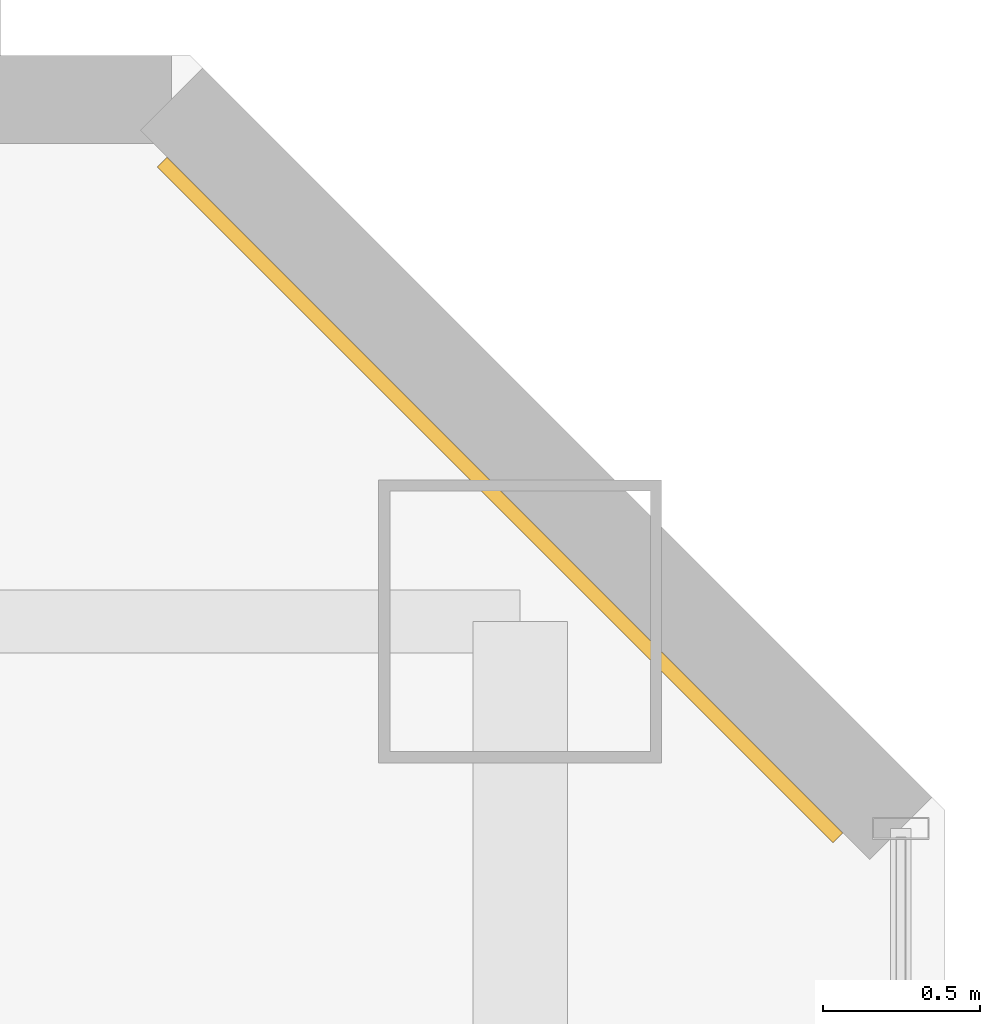
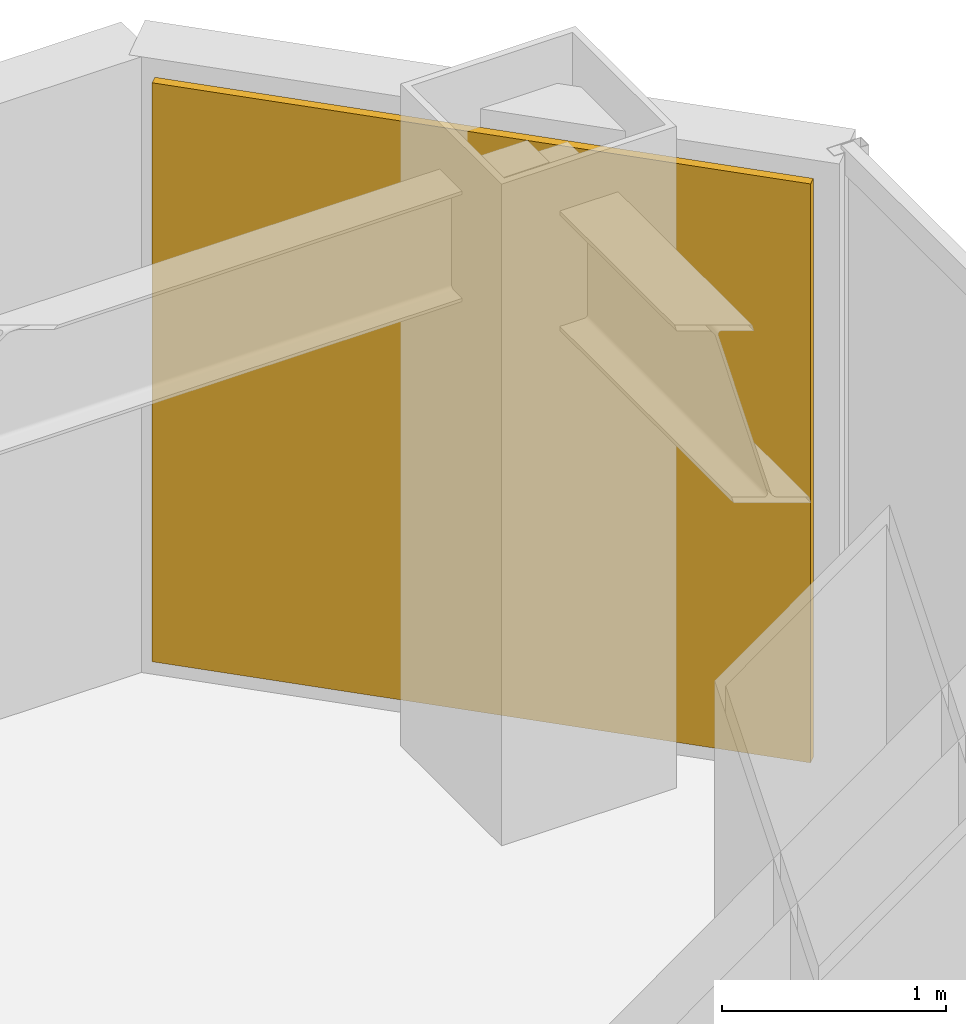
# One storey, part 29 of 29: 1 covering.
"""IFC4 building model written with IfcOpenShell, lengths in metres."""

from ifc_helpers import new_model, si_unit, direction, frame, origin, origin_2d, place, context, subcontext, project, spatial, rectangle, extrude, material, layer, layer_set, type_object, element, save


model = new_model("IFC4")

# Units and contexts
model_context = context("Model", 3, precision=1e-05, world=origin(), true_north=direction((0.0, 1.0)))
body_context = subcontext(model_context, "Body", "Model", "MODEL_VIEW")
ifc_project = project(units=[si_unit("LENGTHUNIT", "METRE"), si_unit("AREAUNIT", "SQUARE_METRE"), si_unit("VOLUMEUNIT", "CUBIC_METRE"), si_unit("PLANEANGLEUNIT", "RADIAN"), si_unit("MASSUNIT", "GRAM", prefix="KILO")], contexts=[model_context])

# Site, building, storey
site_placement = place(None, origin())
site = spatial("IfcSite", under=ifc_project, at=site_placement, CompositionType="ELEMENT")
building_placement = place(site_placement, origin())
building = spatial("IfcBuilding", under=site, at=building_placement, Name="Hatsunagi Terrace Concourse", CompositionType="ELEMENT")
storey_placement = place(building_placement, frame((0.0, 0.0, 119.25)))
storey = spatial("IfcBuildingStorey", under=building, at=storey_placement, Name="L31", CompositionType="ELEMENT", Elevation=119.25)

# Covering
ifc_material = material(Name="Unglazed Warm Terracotta Rainscreen Tile", Category="masonry")
ifc_layer = layer(ifc_material, 0.044921875)
ifc_layer_set = layer_set([ifc_layer], Name="TerracottaRainscreenCladding_45")
covering_type = type_object("IfcCoveringType", Name="TerracottaRainscreenCladding_45", PredefinedType="CLADDING", material=ifc_layer_set)
covering_placement = place(storey_placement, frame((43.5859375, 48.986083984375, 0.10009765625), z_axis=(0.0, 0.0, 1.0), x_axis=(0.707106781187, -0.707106781187, 0.0)))
element("IfcCovering", 1, at=covering_placement, inside=storey, type_object=covering_type, Name="Terracotta Rainscreen Cladding L31-12", PredefinedType="CLADDING", context=body_context, shape_type="SweptSolid", body=[
    extrude(rectangle(XDim=3.0380859375, YDim=0.044921875, at=origin_2d()), origin(), (0.0, 0.0, 1.0), 3.14990234375),
])

save(model, "model.ifc")
